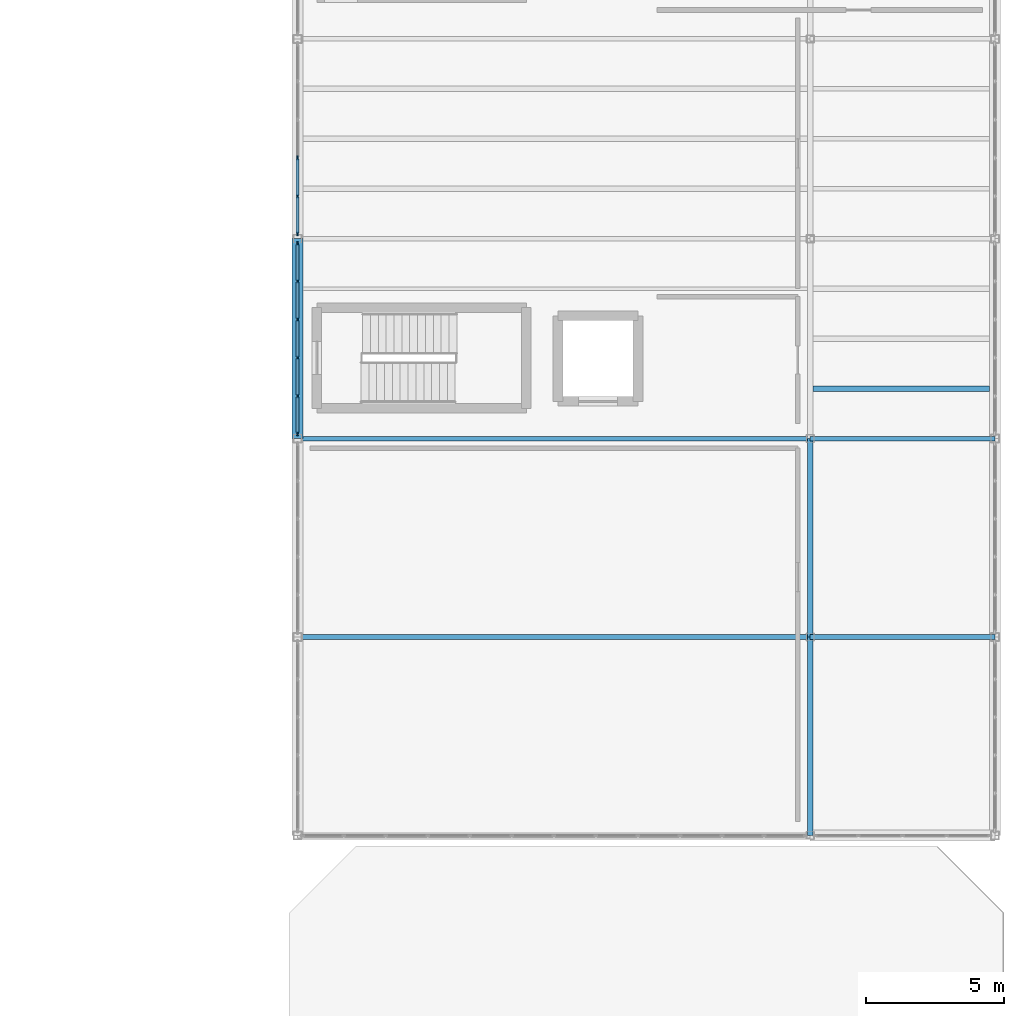
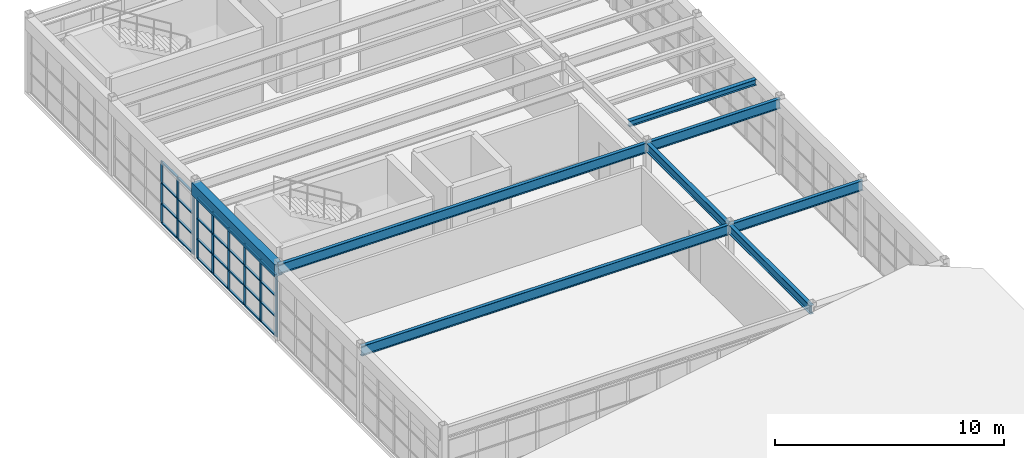
# One storey, part 28 of 52: 37 members, 8 beams, 2 elements without a shape of their own.
"""IFC4 building model written with IfcOpenShell, lengths in metres."""

from ifc_helpers import new_model, si_unit, direction, frame, origin, origin_2d, place, context, subcontext, project, spatial, rectangle, i_section, extrude, material, layer, layer_set, material_profile, profile_set, type_object, element, aggregate, save


model = new_model("IFC4")

# Units and contexts
model_context = context("Model", 3, precision=1e-05, world=origin(), true_north=direction((0.0, 1.0)))
body_context = subcontext(model_context, "Body", "Model", "MODEL_VIEW")
ifc_project = project(units=[si_unit("LENGTHUNIT", "METRE"), si_unit("AREAUNIT", "SQUARE_METRE"), si_unit("VOLUMEUNIT", "CUBIC_METRE"), si_unit("PLANEANGLEUNIT", "RADIAN"), si_unit("MASSUNIT", "GRAM", prefix="KILO")], contexts=[model_context])

# Site, building, storey
site_placement = place(None, origin())
site = spatial("IfcSite", under=ifc_project, at=site_placement, CompositionType="ELEMENT")
building_placement = place(site_placement, origin())
building = spatial("IfcBuilding", under=site, at=building_placement, Name="Candilejo Ridge Gondola Terminal", CompositionType="ELEMENT")
storey_placement = place(building_placement, frame((0.0, 0.0, 18.60009765625)))
storey = spatial("IfcBuildingStorey", under=building, at=storey_placement, Name="L04", CompositionType="ELEMENT", Elevation=18.60009765625)

# Curtain wall, members
ifc_material_1 = material(Name="Anodised aluminium AA 6063-T6", Category="aluminium")
ifc_layer = layer(ifc_material_1, 0.169921875)
ifc_layer_set = layer_set([ifc_layer], Name="ARC-CW-TOWER-3000-695X329")
curtain_wall_type = type_object("IfcCurtainWallType", Name="ARC-CW-TOWER-3000-695X329", PredefinedType="NOTDEFINED", material=ifc_layer_set)
curtain_wall_1_placement = place(storey_placement, origin())
curtain_wall_1 = element("IfcCurtainWall", 1, at=curtain_wall_1_placement, inside=storey, type_object=curtain_wall_type, Name="Curtain wall V5 L04-216", PredefinedType="NOTDEFINED")
ifc_material_2 = material(Name="Anodised aluminium AA 6063-T6", Category="aluminium")
ifc_material_profile_1 = material_profile(ifc_material_2, rectangle(XDim=0.06494140625, YDim=0.14990234375, at=origin_2d()))
ifc_profile_set_1 = profile_set([ifc_material_profile_1], Name="Anodised aluminium AA 6063-T6")
member_type_1 = type_object("IfcMemberType", Name="ARC-CW-MULLION-150", PredefinedType="MULLION", material=ifc_profile_set_1)
member_1_placement = place(storey_placement, frame((150.0, 99.232421875, 0.0), z_axis=(0.0, 0.0, 1.0), x_axis=(-1.0, 0.0, 0.0)))
member_1 = element("IfcMember", 2, at=member_1_placement, type_object=member_type_1, Name="CW-69X32 mullion 1", PredefinedType="MULLION", context=body_context, shape_type="SweptSolid", body=[
    extrude(rectangle(XDim=0.06494140625, YDim=0.14990234375, at=origin_2d()), origin(), (0.0, 0.0, 1.0), 3.289794921875),
])
member_2_placement = place(storey_placement, frame((150.0, 100.590087890625, 0.0), z_axis=(0.0, 0.0, 1.0), x_axis=(-1.0, 0.0, 0.0)))
member_2 = element("IfcMember", 3, at=member_2_placement, type_object=member_type_1, Name="CW-69X32 mullion 2", PredefinedType="MULLION", context=body_context, shape_type="SweptSolid", body=[
    extrude(rectangle(XDim=0.06494140625, YDim=0.14990234375, at=origin_2d()), origin(), (0.0, 0.0, 1.0), 3.289794921875),
])
member_3_placement = place(storey_placement, frame((150.0, 101.97998046875, 0.0), z_axis=(0.0, 0.0, 1.0), x_axis=(-1.0, 0.0, 0.0)))
member_3 = element("IfcMember", 4, at=member_3_placement, type_object=member_type_1, Name="CW-69X32 mullion 3", PredefinedType="MULLION", context=body_context, shape_type="SweptSolid", body=[
    extrude(rectangle(XDim=0.06494140625, YDim=0.14990234375, at=origin_2d()), origin(), (0.0, 0.0, 1.0), 3.289794921875),
])
member_4_placement = place(storey_placement, frame((150.0, 103.3701171875, 0.0), z_axis=(0.0, 0.0, 1.0), x_axis=(-1.0, 0.0, 0.0)))
member_4 = element("IfcMember", 5, at=member_4_placement, type_object=member_type_1, Name="CW-69X32 mullion 4", PredefinedType="MULLION", context=body_context, shape_type="SweptSolid", body=[
    extrude(rectangle(XDim=0.06494140625, YDim=0.14990234375, at=origin_2d()), origin(), (0.0, 0.0, 1.0), 3.289794921875),
])
member_5_placement = place(storey_placement, frame((150.0, 104.760009765625, 0.0), z_axis=(0.0, 0.0, 1.0), x_axis=(-1.0, 0.0, 0.0)))
member_5 = element("IfcMember", 6, at=member_5_placement, type_object=member_type_1, Name="CW-69X32 mullion 5", PredefinedType="MULLION", context=body_context, shape_type="SweptSolid", body=[
    extrude(rectangle(XDim=0.06494140625, YDim=0.14990234375, at=origin_2d()), origin(), (0.0, 0.0, 1.0), 3.289794921875),
])
member_6_placement = place(storey_placement, frame((150.0, 106.117431640625, 0.0), z_axis=(0.0, 0.0, 1.0), x_axis=(-1.0, 0.0, 0.0)))
member_6 = element("IfcMember", 7, at=member_6_placement, type_object=member_type_1, Name="CW-69X32 mullion 6", PredefinedType="MULLION", context=body_context, shape_type="SweptSolid", body=[
    extrude(rectangle(XDim=0.06494140625, YDim=0.14990234375, at=origin_2d()), origin(), (0.0, 0.0, 1.0), 3.289794921875),
])

curtain_wall_2_placement = place(storey_placement, origin())
curtain_wall_2 = element("IfcCurtainWall", 8, at=curtain_wall_2_placement, inside=storey, type_object=curtain_wall_type, Name="Curtain wall V5 L04-218", PredefinedType="NOTDEFINED")
member_7_placement = place(storey_placement, frame((150.0, 106.482421875, 0.0), z_axis=(0.0, 0.0, 1.0), x_axis=(-1.0, 0.0, 0.0)))
member_7 = element("IfcMember", 9, at=member_7_placement, type_object=member_type_1, Name="CW-69X32 mullion 1", PredefinedType="MULLION", context=body_context, shape_type="SweptSolid", body=[
    extrude(rectangle(XDim=0.06494140625, YDim=0.14990234375, at=origin_2d()), origin(), (0.0, 0.0, 1.0), 3.289794921875),
])
member_8_placement = place(storey_placement, frame((150.0, 107.840087890625, 0.0), z_axis=(0.0, 0.0, 1.0), x_axis=(-1.0, 0.0, 0.0)))
member_8 = element("IfcMember", 10, at=member_8_placement, type_object=member_type_1, Name="CW-69X32 mullion 2", PredefinedType="MULLION", context=body_context, shape_type="SweptSolid", body=[
    extrude(rectangle(XDim=0.06494140625, YDim=0.14990234375, at=origin_2d()), origin(), (0.0, 0.0, 1.0), 3.289794921875),
])
member_9_placement = place(storey_placement, frame((150.0, 109.22998046875, 0.0), z_axis=(0.0, 0.0, 1.0), x_axis=(-1.0, 0.0, 0.0)))
member_9 = element("IfcMember", 11, at=member_9_placement, type_object=member_type_1, Name="CW-69X32 mullion 3", PredefinedType="MULLION", context=body_context, shape_type="SweptSolid", body=[
    extrude(rectangle(XDim=0.06494140625, YDim=0.14990234375, at=origin_2d()), origin(), (0.0, 0.0, 1.0), 3.289794921875),
])

# Member
ifc_material_3 = material(Name="Anodised aluminium AA 6063-T6", Category="aluminium")
ifc_material_profile_2 = material_profile(ifc_material_3, rectangle(XDim=0.110107421875, YDim=0.06005859375, at=origin_2d()))
ifc_profile_set_2 = profile_set([ifc_material_profile_2], Name="Anodised aluminium AA 6063-T6")
member_type_2 = type_object("IfcMemberType", Name="ARC-CW-TRANSOM-110", PredefinedType="USERDEFINED", material=ifc_profile_set_2)
member_10_placement = place(storey_placement, frame((150.0, 99.264892578125, 0.02978515625), z_axis=(0.0, 1.0, 0.0), x_axis=(-1.0, 0.0, 0.0)))
member_10 = element("IfcMember", 12, at=member_10_placement, type_object=member_type_2, Name="CW-69X32 transom 1.1", ObjectType="TRANSOM", PredefinedType="USERDEFINED", context=body_context, shape_type="SweptSolid", body=[
    extrude(rectangle(XDim=0.110107421875, YDim=0.06005859375, at=origin_2d()), origin(), (0.0, 0.0, 1.0), 1.292724609375),
])

member_11_placement = place(storey_placement, frame((150.0, 99.264892578125, 1.0498046875), z_axis=(0.0, 1.0, 0.0), x_axis=(-1.0, 0.0, 0.0)))
member_11 = element("IfcMember", 13, at=member_11_placement, type_object=member_type_2, Name="CW-69X32 transom 1.2", ObjectType="TRANSOM", PredefinedType="USERDEFINED", context=body_context, shape_type="SweptSolid", body=[
    extrude(rectangle(XDim=0.110107421875, YDim=0.06005859375, at=origin_2d()), origin(), (0.0, 0.0, 1.0), 1.292724609375),
])

member_12_placement = place(storey_placement, frame((150.0, 99.264892578125, 2.14990234375), z_axis=(0.0, 1.0, 0.0), x_axis=(-1.0, 0.0, 0.0)))
member_12 = element("IfcMember", 14, at=member_12_placement, type_object=member_type_2, Name="CW-69X32 transom 1.3", ObjectType="TRANSOM", PredefinedType="USERDEFINED", context=body_context, shape_type="SweptSolid", body=[
    extrude(rectangle(XDim=0.110107421875, YDim=0.06005859375, at=origin_2d()), origin(), (0.0, 0.0, 1.0), 1.292724609375),
])

member_13_placement = place(storey_placement, frame((150.0, 99.264892578125, 3.260009765625), z_axis=(0.0, 1.0, 0.0), x_axis=(-1.0, 0.0, 0.0)))
member_13 = element("IfcMember", 15, at=member_13_placement, type_object=member_type_2, Name="CW-69X32 transom 1.4", ObjectType="TRANSOM", PredefinedType="USERDEFINED", context=body_context, shape_type="SweptSolid", body=[
    extrude(rectangle(XDim=0.110107421875, YDim=0.06005859375, at=origin_2d()), origin(), (0.0, 0.0, 1.0), 1.292724609375),
])

member_14_placement = place(storey_placement, frame((150.0, 100.62255859375, 0.02978515625), z_axis=(0.0, 1.0, 0.0), x_axis=(-1.0, 0.0, 0.0)))
member_14 = element("IfcMember", 16, at=member_14_placement, type_object=member_type_2, Name="CW-69X32 transom 2.1", ObjectType="TRANSOM", PredefinedType="USERDEFINED", context=body_context, shape_type="SweptSolid", body=[
    extrude(rectangle(XDim=0.110107421875, YDim=0.06005859375, at=origin_2d()), origin(), (0.0, 0.0, 1.0), 1.324951171875),
])

member_15_placement = place(storey_placement, frame((150.0, 100.62255859375, 1.0498046875), z_axis=(0.0, 1.0, 0.0), x_axis=(-1.0, 0.0, 0.0)))
member_15 = element("IfcMember", 17, at=member_15_placement, type_object=member_type_2, Name="CW-69X32 transom 2.2", ObjectType="TRANSOM", PredefinedType="USERDEFINED", context=body_context, shape_type="SweptSolid", body=[
    extrude(rectangle(XDim=0.110107421875, YDim=0.06005859375, at=origin_2d()), origin(), (0.0, 0.0, 1.0), 1.324951171875),
])

member_16_placement = place(storey_placement, frame((150.0, 100.62255859375, 2.14990234375), z_axis=(0.0, 1.0, 0.0), x_axis=(-1.0, 0.0, 0.0)))
member_16 = element("IfcMember", 18, at=member_16_placement, type_object=member_type_2, Name="CW-69X32 transom 2.3", ObjectType="TRANSOM", PredefinedType="USERDEFINED", context=body_context, shape_type="SweptSolid", body=[
    extrude(rectangle(XDim=0.110107421875, YDim=0.06005859375, at=origin_2d()), origin(), (0.0, 0.0, 1.0), 1.324951171875),
])

member_17_placement = place(storey_placement, frame((150.0, 100.62255859375, 3.260009765625), z_axis=(0.0, 1.0, 0.0), x_axis=(-1.0, 0.0, 0.0)))
member_17 = element("IfcMember", 19, at=member_17_placement, type_object=member_type_2, Name="CW-69X32 transom 2.4", ObjectType="TRANSOM", PredefinedType="USERDEFINED", context=body_context, shape_type="SweptSolid", body=[
    extrude(rectangle(XDim=0.110107421875, YDim=0.06005859375, at=origin_2d()), origin(), (0.0, 0.0, 1.0), 1.324951171875),
])

member_18_placement = place(storey_placement, frame((150.0, 102.012451171875, 0.02978515625), z_axis=(0.0, 1.0, 0.0), x_axis=(-1.0, 0.0, 0.0)))
member_18 = element("IfcMember", 20, at=member_18_placement, type_object=member_type_2, Name="CW-69X32 transom 3.1", ObjectType="TRANSOM", PredefinedType="USERDEFINED", context=body_context, shape_type="SweptSolid", body=[
    extrude(rectangle(XDim=0.110107421875, YDim=0.06005859375, at=origin_2d()), origin(), (0.0, 0.0, 1.0), 1.324951171875),
])

member_19_placement = place(storey_placement, frame((150.0, 102.012451171875, 1.0498046875), z_axis=(0.0, 1.0, 0.0), x_axis=(-1.0, 0.0, 0.0)))
member_19 = element("IfcMember", 21, at=member_19_placement, type_object=member_type_2, Name="CW-69X32 transom 3.2", ObjectType="TRANSOM", PredefinedType="USERDEFINED", context=body_context, shape_type="SweptSolid", body=[
    extrude(rectangle(XDim=0.110107421875, YDim=0.06005859375, at=origin_2d()), origin(), (0.0, 0.0, 1.0), 1.324951171875),
])

member_20_placement = place(storey_placement, frame((150.0, 102.012451171875, 2.14990234375), z_axis=(0.0, 1.0, 0.0), x_axis=(-1.0, 0.0, 0.0)))
member_20 = element("IfcMember", 22, at=member_20_placement, type_object=member_type_2, Name="CW-69X32 transom 3.3", ObjectType="TRANSOM", PredefinedType="USERDEFINED", context=body_context, shape_type="SweptSolid", body=[
    extrude(rectangle(XDim=0.110107421875, YDim=0.06005859375, at=origin_2d()), origin(), (0.0, 0.0, 1.0), 1.324951171875),
])

member_21_placement = place(storey_placement, frame((150.0, 102.012451171875, 3.260009765625), z_axis=(0.0, 1.0, 0.0), x_axis=(-1.0, 0.0, 0.0)))
member_21 = element("IfcMember", 23, at=member_21_placement, type_object=member_type_2, Name="CW-69X32 transom 3.4", ObjectType="TRANSOM", PredefinedType="USERDEFINED", context=body_context, shape_type="SweptSolid", body=[
    extrude(rectangle(XDim=0.110107421875, YDim=0.06005859375, at=origin_2d()), origin(), (0.0, 0.0, 1.0), 1.324951171875),
])

member_22_placement = place(storey_placement, frame((150.0, 103.402587890625, 0.02978515625), z_axis=(0.0, 1.0, 0.0), x_axis=(-1.0, 0.0, 0.0)))
member_22 = element("IfcMember", 24, at=member_22_placement, type_object=member_type_2, Name="CW-69X32 transom 4.1", ObjectType="TRANSOM", PredefinedType="USERDEFINED", context=body_context, shape_type="SweptSolid", body=[
    extrude(rectangle(XDim=0.110107421875, YDim=0.06005859375, at=origin_2d()), origin(), (0.0, 0.0, 1.0), 1.324951171875),
])

member_23_placement = place(storey_placement, frame((150.0, 103.402587890625, 1.0498046875), z_axis=(0.0, 1.0, 0.0), x_axis=(-1.0, 0.0, 0.0)))
member_23 = element("IfcMember", 25, at=member_23_placement, type_object=member_type_2, Name="CW-69X32 transom 4.2", ObjectType="TRANSOM", PredefinedType="USERDEFINED", context=body_context, shape_type="SweptSolid", body=[
    extrude(rectangle(XDim=0.110107421875, YDim=0.06005859375, at=origin_2d()), origin(), (0.0, 0.0, 1.0), 1.324951171875),
])

member_24_placement = place(storey_placement, frame((150.0, 103.402587890625, 2.14990234375), z_axis=(0.0, 1.0, 0.0), x_axis=(-1.0, 0.0, 0.0)))
member_24 = element("IfcMember", 26, at=member_24_placement, type_object=member_type_2, Name="CW-69X32 transom 4.3", ObjectType="TRANSOM", PredefinedType="USERDEFINED", context=body_context, shape_type="SweptSolid", body=[
    extrude(rectangle(XDim=0.110107421875, YDim=0.06005859375, at=origin_2d()), origin(), (0.0, 0.0, 1.0), 1.324951171875),
])

member_25_placement = place(storey_placement, frame((150.0, 103.402587890625, 3.260009765625), z_axis=(0.0, 1.0, 0.0), x_axis=(-1.0, 0.0, 0.0)))
member_25 = element("IfcMember", 27, at=member_25_placement, type_object=member_type_2, Name="CW-69X32 transom 4.4", ObjectType="TRANSOM", PredefinedType="USERDEFINED", context=body_context, shape_type="SweptSolid", body=[
    extrude(rectangle(XDim=0.110107421875, YDim=0.06005859375, at=origin_2d()), origin(), (0.0, 0.0, 1.0), 1.324951171875),
])

member_26_placement = place(storey_placement, frame((150.0, 104.79248046875, 0.02978515625), z_axis=(0.0, 1.0, 0.0), x_axis=(-1.0, 0.0, 0.0)))
member_26 = element("IfcMember", 28, at=member_26_placement, type_object=member_type_2, Name="CW-69X32 transom 5.1", ObjectType="TRANSOM", PredefinedType="USERDEFINED", context=body_context, shape_type="SweptSolid", body=[
    extrude(rectangle(XDim=0.110107421875, YDim=0.06005859375, at=origin_2d()), origin(), (0.0, 0.0, 1.0), 1.29248046875),
])

member_27_placement = place(storey_placement, frame((150.0, 104.79248046875, 1.0498046875), z_axis=(0.0, 1.0, 0.0), x_axis=(-1.0, 0.0, 0.0)))
member_27 = element("IfcMember", 29, at=member_27_placement, type_object=member_type_2, Name="CW-69X32 transom 5.2", ObjectType="TRANSOM", PredefinedType="USERDEFINED", context=body_context, shape_type="SweptSolid", body=[
    extrude(rectangle(XDim=0.110107421875, YDim=0.06005859375, at=origin_2d()), origin(), (0.0, 0.0, 1.0), 1.29248046875),
])

member_28_placement = place(storey_placement, frame((150.0, 104.79248046875, 2.14990234375), z_axis=(0.0, 1.0, 0.0), x_axis=(-1.0, 0.0, 0.0)))
member_28 = element("IfcMember", 30, at=member_28_placement, type_object=member_type_2, Name="CW-69X32 transom 5.3", ObjectType="TRANSOM", PredefinedType="USERDEFINED", context=body_context, shape_type="SweptSolid", body=[
    extrude(rectangle(XDim=0.110107421875, YDim=0.06005859375, at=origin_2d()), origin(), (0.0, 0.0, 1.0), 1.29248046875),
])

member_29_placement = place(storey_placement, frame((150.0, 104.79248046875, 3.260009765625), z_axis=(0.0, 1.0, 0.0), x_axis=(-1.0, 0.0, 0.0)))
member_29 = element("IfcMember", 31, at=member_29_placement, type_object=member_type_2, Name="CW-69X32 transom 5.4", ObjectType="TRANSOM", PredefinedType="USERDEFINED", context=body_context, shape_type="SweptSolid", body=[
    extrude(rectangle(XDim=0.110107421875, YDim=0.06005859375, at=origin_2d()), origin(), (0.0, 0.0, 1.0), 1.29248046875),
])

aggregate(curtain_wall_1, [member_1, member_2, member_3, member_4, member_5, member_6, member_10, member_11, member_12, member_13, member_14, member_15, member_16, member_17, member_18, member_19, member_20, member_21, member_22, member_23, member_24, member_25, member_26, member_27, member_28, member_29])

member_30_placement = place(storey_placement, frame((150.0, 106.514892578125, 0.02978515625), z_axis=(0.0, 1.0, 0.0), x_axis=(-1.0, 0.0, 0.0)))
member_30 = element("IfcMember", 32, at=member_30_placement, type_object=member_type_2, Name="CW-69X32 transom 1.1", ObjectType="TRANSOM", PredefinedType="USERDEFINED", context=body_context, shape_type="SweptSolid", body=[
    extrude(rectangle(XDim=0.110107421875, YDim=0.06005859375, at=origin_2d()), origin(), (0.0, 0.0, 1.0), 1.292724609375),
])

member_31_placement = place(storey_placement, frame((150.0, 106.514892578125, 1.0498046875), z_axis=(0.0, 1.0, 0.0), x_axis=(-1.0, 0.0, 0.0)))
member_31 = element("IfcMember", 33, at=member_31_placement, type_object=member_type_2, Name="CW-69X32 transom 1.2", ObjectType="TRANSOM", PredefinedType="USERDEFINED", context=body_context, shape_type="SweptSolid", body=[
    extrude(rectangle(XDim=0.110107421875, YDim=0.06005859375, at=origin_2d()), origin(), (0.0, 0.0, 1.0), 1.292724609375),
])

member_32_placement = place(storey_placement, frame((150.0, 106.514892578125, 2.14990234375), z_axis=(0.0, 1.0, 0.0), x_axis=(-1.0, 0.0, 0.0)))
member_32 = element("IfcMember", 34, at=member_32_placement, type_object=member_type_2, Name="CW-69X32 transom 1.3", ObjectType="TRANSOM", PredefinedType="USERDEFINED", context=body_context, shape_type="SweptSolid", body=[
    extrude(rectangle(XDim=0.110107421875, YDim=0.06005859375, at=origin_2d()), origin(), (0.0, 0.0, 1.0), 1.292724609375),
])

member_33_placement = place(storey_placement, frame((150.0, 106.514892578125, 3.260009765625), z_axis=(0.0, 1.0, 0.0), x_axis=(-1.0, 0.0, 0.0)))
member_33 = element("IfcMember", 35, at=member_33_placement, type_object=member_type_2, Name="CW-69X32 transom 1.4", ObjectType="TRANSOM", PredefinedType="USERDEFINED", context=body_context, shape_type="SweptSolid", body=[
    extrude(rectangle(XDim=0.110107421875, YDim=0.06005859375, at=origin_2d()), origin(), (0.0, 0.0, 1.0), 1.292724609375),
])

member_34_placement = place(storey_placement, frame((150.0, 107.87255859375, 0.02978515625), z_axis=(0.0, 1.0, 0.0), x_axis=(-1.0, 0.0, 0.0)))
member_34 = element("IfcMember", 36, at=member_34_placement, type_object=member_type_2, Name="CW-69X32 transom 2.1", ObjectType="TRANSOM", PredefinedType="USERDEFINED", context=body_context, shape_type="SweptSolid", body=[
    extrude(rectangle(XDim=0.110107421875, YDim=0.06005859375, at=origin_2d()), origin(), (0.0, 0.0, 1.0), 1.324951171875),
])

member_35_placement = place(storey_placement, frame((150.0, 107.87255859375, 1.0498046875), z_axis=(0.0, 1.0, 0.0), x_axis=(-1.0, 0.0, 0.0)))
member_35 = element("IfcMember", 37, at=member_35_placement, type_object=member_type_2, Name="CW-69X32 transom 2.2", ObjectType="TRANSOM", PredefinedType="USERDEFINED", context=body_context, shape_type="SweptSolid", body=[
    extrude(rectangle(XDim=0.110107421875, YDim=0.06005859375, at=origin_2d()), origin(), (0.0, 0.0, 1.0), 1.324951171875),
])

member_36_placement = place(storey_placement, frame((150.0, 107.87255859375, 2.14990234375), z_axis=(0.0, 1.0, 0.0), x_axis=(-1.0, 0.0, 0.0)))
member_36 = element("IfcMember", 38, at=member_36_placement, type_object=member_type_2, Name="CW-69X32 transom 2.3", ObjectType="TRANSOM", PredefinedType="USERDEFINED", context=body_context, shape_type="SweptSolid", body=[
    extrude(rectangle(XDim=0.110107421875, YDim=0.06005859375, at=origin_2d()), origin(), (0.0, 0.0, 1.0), 1.324951171875),
])

member_37_placement = place(storey_placement, frame((150.0, 107.87255859375, 3.260009765625), z_axis=(0.0, 1.0, 0.0), x_axis=(-1.0, 0.0, 0.0)))
member_37 = element("IfcMember", 39, at=member_37_placement, type_object=member_type_2, Name="CW-69X32 transom 2.4", ObjectType="TRANSOM", PredefinedType="USERDEFINED", context=body_context, shape_type="SweptSolid", body=[
    extrude(rectangle(XDim=0.110107421875, YDim=0.06005859375, at=origin_2d()), origin(), (0.0, 0.0, 1.0), 1.324951171875),
])

aggregate(curtain_wall_2, [member_7, member_8, member_9, member_30, member_31, member_32, member_33, member_34, member_35, member_36, member_37])

# Beams
ifc_material_4 = material(Name="Steel ASTM A992 Grade 50", Category="steel")
ifc_material_profile_3 = material_profile(ifc_material_4, i_section(OverallWidth=0.194091796875, OverallDepth=0.468994140625, WebThickness=0.0126953125, FlangeThickness=0.0205078125, at=origin_2d()))
ifc_profile_set_3 = profile_set([ifc_material_profile_3], Name="Steel ASTM A992 Grade 50")
beam_type_1 = type_object("IfcBeamType", Name="STR-BM-W460X106", PredefinedType="BEAM", material=ifc_profile_set_3)
beam_1_placement = place(storey_placement, frame((168.60009765625, 84.64990234375, 3.75537109375), z_axis=(0.0, 1.0, 0.0), x_axis=(-1.0, 0.0, 0.0)))
element("IfcBeam", 40, at=beam_1_placement, inside=storey, type_object=beam_type_1, Name="Beam Y V5 L04 Y15-Y16@X25", PredefinedType="BEAM", context=body_context, shape_type="SweptSolid", body=[
    extrude(i_section(OverallWidth=0.194091796875, OverallDepth=0.468994140625, WebThickness=0.0126953125, FlangeThickness=0.0205078125, at=origin_2d()), origin(), (0.0, 0.0, 1.0), 7.2001953125),
])
beam_2_placement = place(storey_placement, frame((168.60009765625, 91.85009765625, 3.75537109375), z_axis=(0.0, 1.0, 0.0), x_axis=(-1.0, 0.0, 0.0)))
element("IfcBeam", 41, at=beam_2_placement, inside=storey, type_object=beam_type_1, Name="Beam Y V5 L04 Y16-Y17@X25", PredefinedType="BEAM", context=body_context, shape_type="SweptSolid", body=[
    extrude(i_section(OverallWidth=0.194091796875, OverallDepth=0.468994140625, WebThickness=0.0126953125, FlangeThickness=0.0205078125, at=origin_2d()), origin(), (0.0, 0.0, 1.0), 7.199951171875),
])
ifc_material_5 = material(Name="Steel ASTM A992 Grade 50", Category="steel")
ifc_material_profile_4 = material_profile(ifc_material_5, i_section(OverallWidth=0.166015625, OverallDepth=0.529052734375, WebThickness=0.009765625, FlangeThickness=0.013671875, at=origin_2d()))
ifc_profile_set_4 = profile_set([ifc_material_profile_4], Name="Steel ASTM A992 Grade 50")
beam_type_2 = type_object("IfcBeamType", Name="STR-BM-W530X74", PredefinedType="BEAM", material=ifc_profile_set_4)
beam_3_placement = place(storey_placement, frame((150.0, 91.85009765625, 3.725341796875), z_axis=(1.0, 0.0, 0.0), x_axis=(0.0, 1.0, 0.0)))
element("IfcBeam", 42, at=beam_3_placement, inside=storey, type_object=beam_type_2, Name="Beam X V5 L04 X23-X25@Y16", PredefinedType="BEAM", context=body_context, shape_type="SweptSolid", body=[
    extrude(i_section(OverallWidth=0.166015625, OverallDepth=0.529052734375, WebThickness=0.009765625, FlangeThickness=0.013671875, at=origin_2d()), origin(), (0.0, 0.0, 1.0), 18.60009765625),
])
beam_4_placement = place(storey_placement, frame((168.60009765625, 91.85009765625, 3.725341796875), z_axis=(1.0, 0.0, 0.0), x_axis=(0.0, 1.0, 0.0)))
element("IfcBeam", 43, at=beam_4_placement, inside=storey, type_object=beam_type_2, Name="Beam X V5 L04 X25-X27@Y16", PredefinedType="BEAM", context=body_context, shape_type="SweptSolid", body=[
    extrude(i_section(OverallWidth=0.166015625, OverallDepth=0.529052734375, WebThickness=0.009765625, FlangeThickness=0.013671875, at=origin_2d()), origin(), (0.0, 0.0, 1.0), 6.699951171875),
])
beam_5_placement = place(storey_placement, frame((150.0, 99.050048828125, 3.725341796875), z_axis=(1.0, 0.0, 0.0), x_axis=(0.0, 1.0, 0.0)))
element("IfcBeam", 44, at=beam_5_placement, inside=storey, type_object=beam_type_2, Name="Beam X V5 L04 X23-X25@Y17", PredefinedType="BEAM", context=body_context, shape_type="SweptSolid", body=[
    extrude(i_section(OverallWidth=0.166015625, OverallDepth=0.529052734375, WebThickness=0.009765625, FlangeThickness=0.013671875, at=origin_2d()), origin(), (0.0, 0.0, 1.0), 18.60009765625),
])
beam_6_placement = place(storey_placement, frame((168.60009765625, 99.050048828125, 3.725341796875), z_axis=(1.0, 0.0, 0.0), x_axis=(0.0, 1.0, 0.0)))
element("IfcBeam", 45, at=beam_6_placement, inside=storey, type_object=beam_type_2, Name="Beam X V5 L04 X25-X27@Y17", PredefinedType="BEAM", context=body_context, shape_type="SweptSolid", body=[
    extrude(i_section(OverallWidth=0.166015625, OverallDepth=0.529052734375, WebThickness=0.009765625, FlangeThickness=0.013671875, at=origin_2d()), origin(), (0.0, 0.0, 1.0), 6.699951171875),
])
ifc_material_6 = material(Name="Steel ASTM A992 Grade 50", Category="steel")
ifc_material_profile_5 = material_profile(ifc_material_6, i_section(OverallWidth=0.202880859375, OverallDepth=0.302978515625, WebThickness=0.007568359375, FlangeThickness=0.01318359375, at=origin_2d()))
ifc_profile_set_5 = profile_set([ifc_material_profile_5], Name="Steel ASTM A992 Grade 50")
beam_type_3 = type_object("IfcBeamType", Name="STR-JST-W310X60", PredefinedType="JOIST", material=ifc_profile_set_5)
beam_7_placement = place(storey_placement, frame((168.697021484375, 100.862548828125, 3.83837890625), z_axis=(1.0, 0.0, 0.0), x_axis=(0.0, 1.0, 0.0)))
element("IfcBeam", 46, at=beam_7_placement, inside=storey, type_object=beam_type_3, Name="Composite joist V5 L04-1439", PredefinedType="JOIST", context=body_context, shape_type="SweptSolid", body=[
    extrude(i_section(OverallWidth=0.202880859375, OverallDepth=0.302978515625, WebThickness=0.007568359375, FlangeThickness=0.01318359375, at=origin_2d()), origin(), (0.0, 0.0, 1.0), 6.403076171875),
])
ifc_material_7 = material(Name="Concrete f'c 35 MPa (C35/45)", Category="concrete")
ifc_material_profile_6 = material_profile(ifc_material_7, rectangle(XDim=0.39990234375, YDim=0.64990234375, at=origin_2d()))
ifc_profile_set_6 = profile_set([ifc_material_profile_6], Name="Concrete f'c 35 MPa (C35/45)")
beam_type_4 = type_object("IfcBeamType", Name="STR-SPN-RC400X650", PredefinedType="SPANDREL", material=ifc_profile_set_6)
beam_8_placement = place(storey_placement, frame((150.0, 99.050048828125, 3.664794921875), z_axis=(0.0, 1.0, 0.0), x_axis=(-1.0, 0.0, 0.0)))
element("IfcBeam", 47, at=beam_8_placement, inside=storey, type_object=beam_type_4, Name="Beam Y V5 L04 Y17-Y18@X23", PredefinedType="SPANDREL", context=body_context, shape_type="SweptSolid", body=[
    extrude(rectangle(XDim=0.39990234375, YDim=0.64990234375, at=origin_2d()), origin(), (0.0, 0.0, 1.0), 7.25),
])

save(model, "model.ifc")
